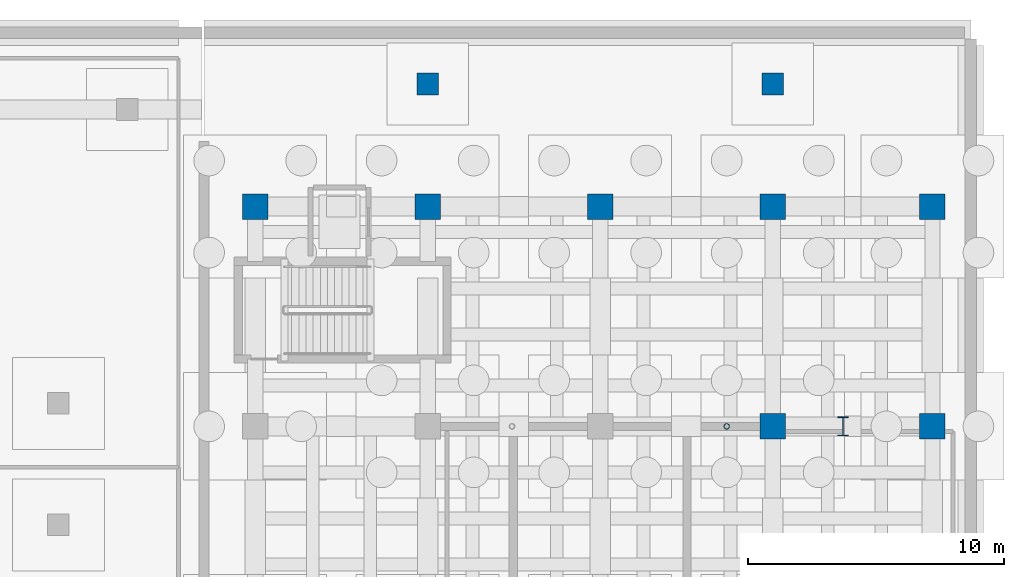
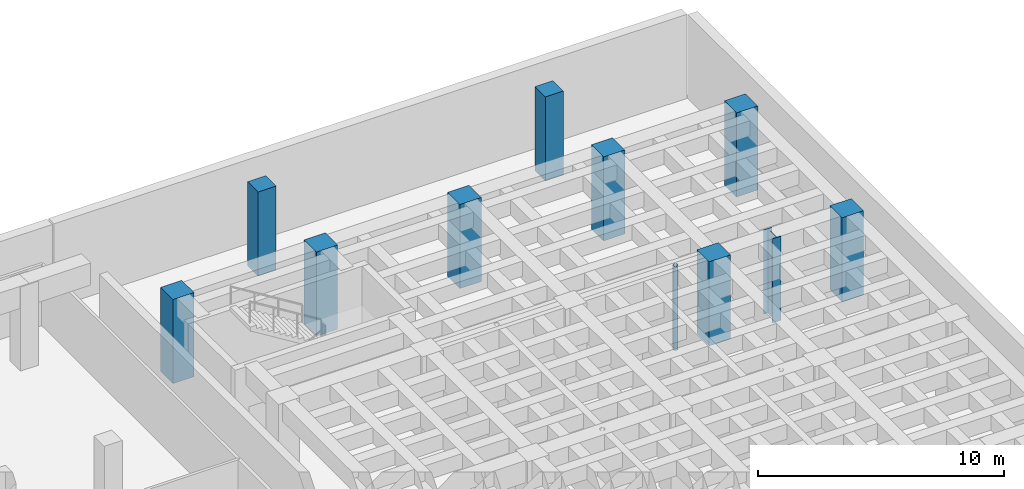
# One storey, part 5 of 15: 11 columns.
"""IFC4 building model written with IfcOpenShell, lengths in metres."""

from ifc_helpers import new_model, si_unit, direction, frame, origin, origin_2d, place, context, subcontext, project, spatial, rectangle, hollow_circle, i_section, extrude, material, material_profile, profile_set, type_object, element, save


model = new_model("IFC4")

# Units and contexts
model_context = context("Model", 3, precision=1e-05, world=origin(), true_north=direction((0.0, 1.0)))
body_context = subcontext(model_context, "Body", "Model", "MODEL_VIEW")
ifc_project = project(units=[si_unit("LENGTHUNIT", "METRE"), si_unit("AREAUNIT", "SQUARE_METRE"), si_unit("VOLUMEUNIT", "CUBIC_METRE"), si_unit("PLANEANGLEUNIT", "RADIAN"), si_unit("MASSUNIT", "GRAM", prefix="KILO")], contexts=[model_context])

# Site, building, storey
site_placement = place(None, origin())
site = spatial("IfcSite", under=ifc_project, at=site_placement, CompositionType="ELEMENT")
building_placement = place(site_placement, origin())
building = spatial("IfcBuilding", under=site, at=building_placement, Name="Korentha Bioscience Tower", CompositionType="ELEMENT")
storey_placement = place(building_placement, frame((0.0, 0.0, -9.0)))
storey = spatial("IfcBuildingStorey", under=building, at=storey_placement, Name="B2", CompositionType="ELEMENT", Elevation=-9.0)

# Columns
ifc_material_1 = material(Name="Concrete C65", Category="concrete")
ifc_material_profile_1 = material_profile(ifc_material_1, rectangle(XDim=0.85009765625, YDim=0.85009765625, at=origin_2d()), Name="Concrete C65")
ifc_profile_set_1 = profile_set([ifc_material_profile_1], Name="Concrete C65 (BC-01)")
column_type_1 = type_object("IfcColumnType", Name="Basement Car Park Column RC 850x850", PredefinedType="COLUMN", material=ifc_profile_set_1)
for number, where, z_axis, x_axis, name in (
    (1, (73.25, 49.0, 0.0), (0.0, 0.0, 1.0), (1.0, 0.0, 0.0), "B2 Car Park Column BC-15"),
    (2, (86.75, 49.0, 0.0), (0.0, 0.0, 1.0), (1.0, 0.0, 0.0), "B2 Car Park Column BC-16"),
):
    element("IfcColumn", number, at=place(storey_placement, frame(where, z_axis=z_axis, x_axis=x_axis)), inside=storey, type_object=column_type_1, Name=name, PredefinedType="COLUMN", context=body_context, shape_type="SweptSolid", body=[
        extrude(rectangle(XDim=0.85009765625, YDim=0.85009765625, at=origin_2d()), origin(), (0.0, 0.0, 1.0), 4.179931640625),
    ])
ifc_material_2 = material(Name="Steel S355", Category="steel")
ifc_material_profile_2 = material_profile(ifc_material_2, i_section(OverallWidth=0.39990234375, OverallDepth=0.75, WebThickness=0.01611328125, FlangeThickness=0.028076171875, at=origin_2d()), Name="Steel S355")
ifc_profile_set_2 = profile_set([ifc_material_profile_2], Name="Steel S355 (TC-02)")
column_type_2 = type_object("IfcColumnType", Name="Theatre Fly-Tower Column CVS 750x256", PredefinedType="COLUMN", material=ifc_profile_set_2)
column_1_placement = place(storey_placement, frame((89.5, 35.60009765625, 0.0), z_axis=(0.0, 0.0, 1.0), x_axis=(1.0, 0.0, 0.0)))
element("IfcColumn", 3, at=column_1_placement, inside=storey, type_object=column_type_2, Name="B2 Fly-Tower Steel Column N", PredefinedType="COLUMN", context=body_context, shape_type="SweptSolid", body=[
    extrude(i_section(OverallWidth=0.39990234375, OverallDepth=0.75, WebThickness=0.01611328125, FlangeThickness=0.028076171875, at=origin_2d()), origin(), (0.0, 0.0, 1.0), 4.179931640625),
])
ifc_material_3 = material(Name="Concrete C50", Category="concrete")
ifc_material_profile_3 = material_profile(ifc_material_3, rectangle(XDim=1.0, YDim=1.0, at=origin_2d()), Name="Concrete C50")
ifc_profile_set_3 = profile_set([ifc_material_profile_3], Name="Concrete C50 (TC-I01)")
column_type_3 = type_object("IfcColumnType", Name="Theatre Interior Column RC 1000x1000", PredefinedType="COLUMN", material=ifc_profile_set_3)
for number, where, z_axis, x_axis, name in (
    (4, (66.5, 44.199951171875, 0.0), (0.0, 0.0, 1.0), (1.0, 0.0, 0.0), "B2 Theatre Foundation Column 1-5"),
    (5, (73.25, 44.199951171875, 0.0), (0.0, 0.0, 1.0), (1.0, 0.0, 0.0), "B2 Theatre Foundation Column 2-5"),
    (6, (80.0, 44.199951171875, 0.0), (0.0, 0.0, 1.0), (1.0, 0.0, 0.0), "B2 Theatre Foundation Column 3-5"),
    (7, (86.75, 35.60009765625, 0.0), (0.0, 0.0, 1.0), (1.0, 0.0, 0.0), "B2 Theatre Foundation Column 4-4"),
    (8, (86.75, 44.199951171875, 0.0), (0.0, 0.0, 1.0), (1.0, 0.0, 0.0), "B2 Theatre Foundation Column 4-5"),
    (9, (93.0, 35.60009765625, 0.0), (0.0, 0.0, 1.0), (1.0, 0.0, 0.0), "B2 Theatre Foundation Column 5-4"),
    (10, (93.0, 44.199951171875, 0.0), (0.0, 0.0, 1.0), (1.0, 0.0, 0.0), "B2 Theatre Foundation Column 5-5"),
):
    element("IfcColumn", number, at=place(storey_placement, frame(where, z_axis=z_axis, x_axis=x_axis)), inside=storey, type_object=column_type_3, Name=name, PredefinedType="COLUMN", context=body_context, shape_type="SweptSolid", body=[
        extrude(rectangle(XDim=1.0, YDim=1.0, at=origin_2d()), origin(), (0.0, 0.0, 1.0), 4.179931640625),
    ])
ifc_material_profile_4 = material_profile(ifc_material_2, hollow_circle(Radius=0.109619140625, WallThickness=0.012451171875, at=origin_2d()), Name="Steel S355")
ifc_profile_set_4 = profile_set([ifc_material_profile_4], Name="Steel S355 (TC-P219)")
column_type_4 = type_object("IfcColumnType", Name="Theatre Tier Support Post CHS 219.1x12.5", PredefinedType="COLUMN", material=ifc_profile_set_4)
column_2_placement = place(storey_placement, frame((84.949951171875, 35.60009765625, 0.0), z_axis=(0.0, 0.0, 1.0), x_axis=(1.0, 0.0, 0.0)))
element("IfcColumn", 11, at=column_2_placement, inside=storey, type_object=column_type_4, Name="B2 Auditorium Raker Support Column E-35", PredefinedType="COLUMN", context=body_context, shape_type="SweptSolid", body=[
    extrude(hollow_circle(Radius=0.109619140625, WallThickness=0.012451171875, at=origin_2d()), origin(), (0.0, 0.0, 1.0), 4.179931640625),
])

save(model, "model.ifc")
